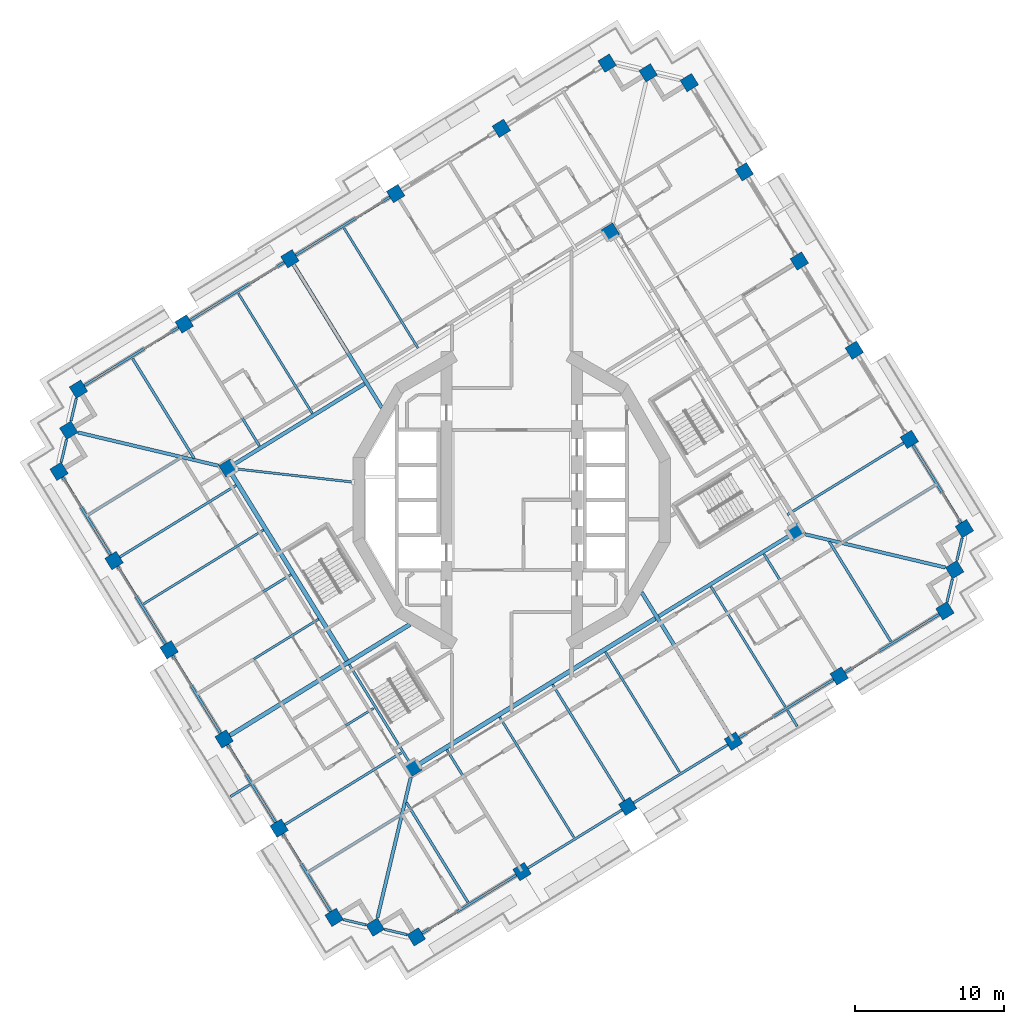
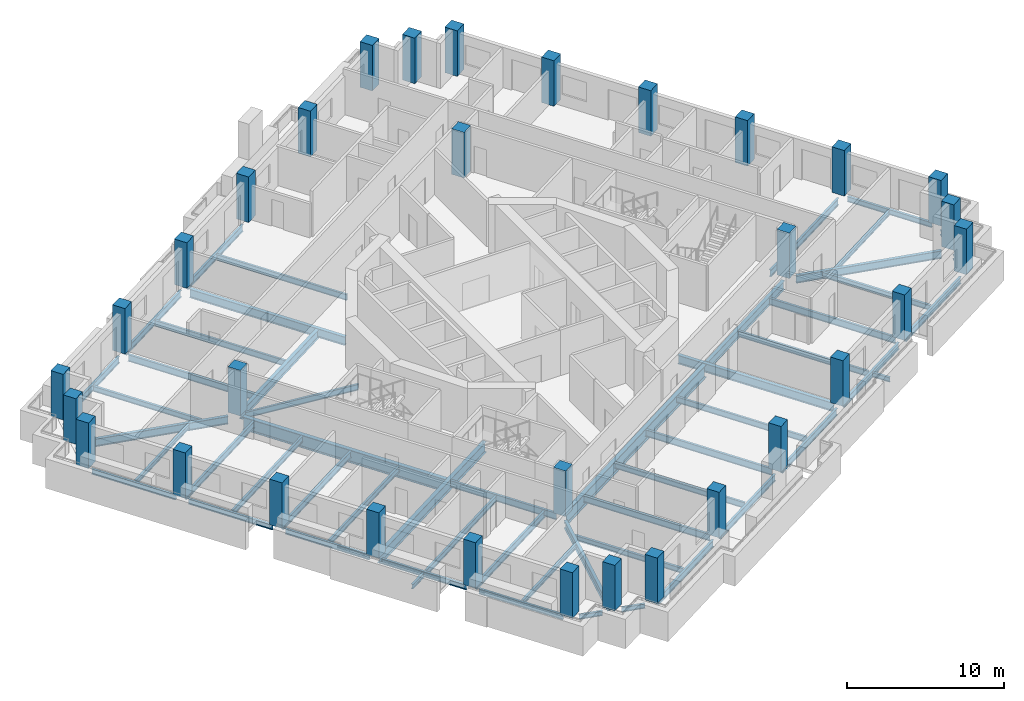
# One storey, part 1 of 21: 56 beams, 32 columns.
"""IFC4 building model written with IfcOpenShell, lengths in metres."""

from ifc_helpers import new_model, si_unit, direction, frame, origin, origin_2d, place, context, subcontext, project, spatial, rectangle, i_section, extrude, material, material_profile, profile_set, type_object, element, save


model = new_model("IFC4")

# Units and contexts
model_context = context("Model", 3, precision=1e-05, world=origin(), true_north=direction((0.0, 1.0)))
body_context = subcontext(model_context, "Body", "Model", "MODEL_VIEW")
ifc_project = project(units=[si_unit("LENGTHUNIT", "METRE"), si_unit("AREAUNIT", "SQUARE_METRE"), si_unit("VOLUMEUNIT", "CUBIC_METRE"), si_unit("PLANEANGLEUNIT", "RADIAN"), si_unit("MASSUNIT", "GRAM", prefix="KILO")], contexts=[model_context])

# Site, building, storey
site_placement = place(None, origin())
site = spatial("IfcSite", under=ifc_project, at=site_placement, CompositionType="ELEMENT")
building_placement = place(site_placement, origin())
building = spatial("IfcBuilding", under=site, at=building_placement, Name="Cantera Rosa Tower", CompositionType="ELEMENT")
storey_placement = place(building_placement, frame((0.0, 0.0, 170.39990234375)))
storey = spatial("IfcBuildingStorey", under=building, at=storey_placement, Name="L37", CompositionType="ELEMENT", Elevation=170.39990234375)

# Columns
ifc_material_1 = material(Name="Concrete C60/75", Category="concrete")
ifc_material_profile_1 = material_profile(ifc_material_1, rectangle(XDim=0.89990234375, YDim=0.89990234375, at=origin_2d()), Name="RC COLUMN RC900X900 C60/75")
ifc_profile_set_1 = profile_set([ifc_material_profile_1], Name="Concrete C60/75")
column_type_1 = type_object("IfcColumnType", Name="RC COLUMN RC900X900 C60/75", PredefinedType="COLUMN", material=ifc_profile_set_1)
for number, where, z_axis, x_axis, name in (
    (1, (30.321044921875, -1.917724609375, 0.0), (0.0, 0.0, 1.0), (0.851116672434, 0.52497658034, 0.0), "C-Z3-01 L37"),
    (2, (26.6357421875, 4.05712890625, 0.0), (0.0, 0.0, 1.0), (0.851116672434, 0.52497658034, 0.0), "C-Z3-02 L37"),
    (3, (22.950439453125, 10.031982421875, 0.0), (0.0, 0.0, 1.0), (0.851116672434, 0.52497658034, 0.0), "C-Z3-03 L37"),
    (4, (19.26513671875, 16.0068359375, 0.0), (0.0, 0.0, 1.0), (0.851116672434, 0.52497658034, 0.0), "C-Z3-04 L37"),
    (5, (15.57958984375, 21.981689453125, 0.0), (0.0, 0.0, 1.0), (0.851116672434, 0.52497658034, 0.0), "C-Z3-05 L37"),
    (6, (11.894287109375, 27.95654296875, 0.0), (0.0, 0.0, 1.0), (0.851116672434, 0.52497658034, 0.0), "C-Z3-06 L37"),
    (7, (9.14208984375, 28.60888671875, 0.0), (0.0, 0.0, 1.0), (0.851116672434, 0.52497658034, 0.0), "C-Z3-07 L37"),
    (8, (6.389892578125, 29.260986328125, 0.0), (0.0, 0.0, 1.0), (0.851116672434, 0.52497658034, 0.0), "C-Z3-08 L37"),
    (9, (-0.69140625, 24.893310546875, 0.0), (0.0, 0.0, 1.0), (0.851116672434, 0.52497658034, 0.0), "C-Z3-09 L37"),
    (10, (-7.772705078125, 20.525390625, 0.0), (0.0, 0.0, 1.0), (0.851116672434, 0.52497658034, 0.0), "C-Z3-10 L37"),
    (11, (-14.85400390625, 16.15771484375, 0.0), (0.0, 0.0, 1.0), (0.851116672434, 0.52497658034, 0.0), "C-Z3-11 L37"),
    (12, (-21.935302734375, 11.789794921875, 0.0), (0.0, 0.0, 1.0), (0.851116672434, 0.52497658034, 0.0), "C-Z3-12 L37"),
    (13, (-29.016357421875, 7.422119140625, 0.0), (0.0, 0.0, 1.0), (0.851116672434, 0.52497658034, 0.0), "C-Z3-13 L37"),
    (14, (-29.668701171875, 4.669921875, 0.0), (0.0, 0.0, 1.0), (0.851116672434, 0.52497658034, 0.0), "C-Z3-14 L37"),
    (15, (-30.321044921875, 1.917724609375, 0.0), (0.0, 0.0, 1.0), (0.851116672434, 0.52497658034, 0.0), "C-Z3-15 L37"),
    (16, (-26.6357421875, -4.05712890625, 0.0), (0.0, 0.0, 1.0), (0.851116672434, 0.52497658034, 0.0), "C-Z3-16 L37"),
    (17, (-22.950439453125, -10.031982421875, 0.0), (0.0, 0.0, 1.0), (0.851116672434, 0.52497658034, 0.0), "C-Z3-17 L37"),
    (18, (-19.26513671875, -16.0068359375, 0.0), (0.0, 0.0, 1.0), (0.851116672434, 0.52497658034, 0.0), "C-Z3-18 L37"),
    (19, (-15.57958984375, -21.981689453125, 0.0), (0.0, 0.0, 1.0), (0.851116672434, 0.52497658034, 0.0), "C-Z3-19 L37"),
    (20, (-11.894287109375, -27.95654296875, 0.0), (0.0, 0.0, 1.0), (0.851116672434, 0.52497658034, 0.0), "C-Z3-20 L37"),
    (21, (-9.14208984375, -28.60888671875, 0.0), (0.0, 0.0, 1.0), (0.851116672434, 0.52497658034, 0.0), "C-Z3-21 L37"),
    (22, (-6.389892578125, -29.260986328125, 0.0), (0.0, 0.0, 1.0), (0.851116672434, 0.52497658034, 0.0), "C-Z3-22 L37"),
    (23, (0.69140625, -24.893310546875, 0.0), (0.0, 0.0, 1.0), (0.851116672434, 0.52497658034, 0.0), "C-Z3-23 L37"),
    (24, (7.772705078125, -20.525390625, 0.0), (0.0, 0.0, 1.0), (0.851116672434, 0.52497658034, 0.0), "C-Z3-24 L37"),
    (25, (14.85400390625, -16.15771484375, 0.0), (0.0, 0.0, 1.0), (0.851116672434, 0.52497658034, 0.0), "C-Z3-25 L37"),
    (26, (21.935302734375, -11.789794921875, 0.0), (0.0, 0.0, 1.0), (0.851116672434, 0.52497658034, 0.0), "C-Z3-26 L37"),
    (27, (29.016357421875, -7.422119140625, 0.0), (0.0, 0.0, 1.0), (0.851116672434, 0.52497658034, 0.0), "C-Z3-27 L37"),
    (28, (29.668701171875, -4.669921875, 0.0), (0.0, 0.0, 1.0), (0.851116672434, 0.52497658034, 0.0), "C-Z3-28 L37"),
):
    element("IfcColumn", number, at=place(storey_placement, frame(where, z_axis=z_axis, x_axis=x_axis)), inside=storey, type_object=column_type_1, Name=name, PredefinedType="COLUMN", context=body_context, shape_type="SweptSolid", body=[
        extrude(rectangle(XDim=0.89990234375, YDim=0.89990234375, at=origin_2d()), origin(), (0.0, 0.0, 1.0), 3.550048828125),
    ])
ifc_material_2 = material(Name="Concrete C60/75", Category="concrete")
ifc_material_profile_2 = material_profile(ifc_material_2, rectangle(XDim=0.89990234375, YDim=0.89990234375, at=origin_2d()), Name="RC RING COLUMN RC900X900 C60/75")
ifc_profile_set_2 = profile_set([ifc_material_profile_2], Name="Concrete C60/75")
column_type_2 = type_object("IfcColumnType", Name="RC RING COLUMN RC900X900 C60/75", PredefinedType="COLUMN", material=ifc_profile_set_2)
for number, where, z_axis, x_axis, name in (
    (29, (6.614501953125, 17.944091796875, 0.0), (0.0, 0.0, 1.0), (0.851116672434, 0.52497658034, 0.0), "CI-Z3-1 L37"),
    (30, (-19.004150390625, 2.142333984375, 0.0), (0.0, 0.0, 1.0), (0.851116672434, 0.52497658034, 0.0), "CI-Z3-2 L37"),
    (31, (-6.614501953125, -17.944091796875, 0.0), (0.0, 0.0, 1.0), (0.851116672434, 0.52497658034, 0.0), "CI-Z3-3 L37"),
    (32, (19.004150390625, -2.142333984375, 0.0), (0.0, 0.0, 1.0), (0.851116672434, 0.52497658034, 0.0), "CI-Z3-4 L37"),
):
    element("IfcColumn", number, at=place(storey_placement, frame(where, z_axis=z_axis, x_axis=x_axis)), inside=storey, type_object=column_type_2, Name=name, PredefinedType="COLUMN", context=body_context, shape_type="SweptSolid", body=[
        extrude(rectangle(XDim=0.89990234375, YDim=0.89990234375, at=origin_2d()), origin(), (0.0, 0.0, 1.0), 3.550048828125),
    ])

# Beams
ifc_material_3 = material(Name="Steel ASTM A992 (Fy 345 MPa)", Category="steel")
ifc_material_profile_3 = material_profile(ifc_material_3, i_section(OverallWidth=0.300048828125, OverallDepth=0.990966796875, WebThickness=0.0166015625, FlangeThickness=0.030517578125, FilletRadius=0.030029296875, at=origin_2d()), Name="W1000X272")
ifc_profile_set_3 = profile_set([ifc_material_profile_3], Name="Steel ASTM A992 (Fy 345 MPa)")
beam_type_1 = type_object("IfcBeamType", Name="STEEL BEAM W1000X272", PredefinedType="BEAM", material=ifc_profile_set_3)
beam_1_placement = place(storey_placement, frame((-11.04541015625, -10.7607421875, -0.745361328125), z_axis=(-0.524974072618, 0.851118219215, 0.0), x_axis=(-0.851118219215, -0.524974072618, 0.0)))
element("IfcBeam", 33, at=beam_1_placement, inside=storey, type_object=beam_type_1, Name="RB-Z3-08 L37", PredefinedType="BEAM", context=body_context, shape_type="SweptSolid", body=[
    extrude(i_section(OverallWidth=0.300048828125, OverallDepth=0.990966796875, WebThickness=0.0166015625, FlangeThickness=0.030517578125, FilletRadius=0.030029296875, at=origin_2d()), origin(), (0.0, 0.0, 1.0), 14.7099609375),
])
ifc_material_4 = material(Name="Steel ASTM A992 (Fy 345 MPa)", Category="steel")
ifc_material_profile_4 = material_profile(ifc_material_4, i_section(OverallWidth=0.302001953125, OverallDepth=1.010009765625, WebThickness=0.02099609375, FlangeThickness=0.0400390625, FilletRadius=0.030029296875, at=origin_2d()), Name="W1000X350")
ifc_profile_set_4 = profile_set([ifc_material_profile_4], Name="Steel ASTM A992 (Fy 345 MPa)")
beam_type_2 = type_object("IfcBeamType", Name="STEEL BEAM W1000X350", PredefinedType="BEAM", material=ifc_profile_set_4)
beam_2_placement = place(storey_placement, frame((-6.231689453125, -17.707763671875, -0.7548828125), z_axis=(0.851118702028, 0.524973289852, 0.0), x_axis=(-0.524973289852, 0.851118702028, 0.0)))
element("IfcBeam", 34, at=beam_2_placement, inside=storey, type_object=beam_type_2, Name="RB-Z3-03 L37", PredefinedType="BEAM", context=body_context, shape_type="SweptSolid", body=[
    extrude(i_section(OverallWidth=0.302001953125, OverallDepth=1.010009765625, WebThickness=0.02099609375, FlangeThickness=0.0400390625, FilletRadius=0.030029296875, at=origin_2d()), origin(), (0.0, 0.0, 1.0), 18.610107421875),
])
ifc_material_5 = material(Name="Steel ASTM A992 (Fy 345 MPa)", Category="steel")
ifc_material_profile_5 = material_profile(ifc_material_5, i_section(OverallWidth=0.154052734375, OverallDepth=0.4599609375, WebThickness=0.009033203125, FlangeThickness=0.015380859375, FilletRadius=0.01025390625, at=origin_2d()), Name="W460X68")
ifc_profile_set_5 = profile_set([ifc_material_profile_5], Name="Steel ASTM A992 (Fy 345 MPa)")
beam_type_3 = type_object("IfcBeamType", Name="STEEL BEAM W460X68", PredefinedType="BEAM", material=ifc_profile_set_5)
beam_3_placement = place(storey_placement, frame((-18.435791015625, 2.078125, -0.47998046875), z_axis=(0.993707483767, -0.11200641368, 0.0), x_axis=(0.11200641368, 0.993707483767, 0.0)))
element("IfcBeam", 35, at=beam_3_placement, inside=storey, type_object=beam_type_3, Name="PG-Z3-01 L37", PredefinedType="BEAM", context=body_context, shape_type="SweptSolid", body=[
    extrude(i_section(OverallWidth=0.154052734375, OverallDepth=0.4599609375, WebThickness=0.009033203125, FlangeThickness=0.015380859375, FilletRadius=0.01025390625, at=origin_2d()), origin(), (0.0, 0.0, 1.0), 7.860107421875),
])
ifc_material_6 = material(Name="Steel ASTM A992 (Fy 345 MPa)", Category="steel")
ifc_material_profile_6 = material_profile(ifc_material_6, i_section(OverallWidth=0.166015625, OverallDepth=0.528076171875, WebThickness=0.009765625, FlangeThickness=0.013671875, FilletRadius=0.0126953125, at=origin_2d()), Name="W530X74")
ifc_profile_set_6 = profile_set([ifc_material_profile_6], Name="Steel ASTM A992 (Fy 345 MPa)")
beam_type_4 = type_object("IfcBeamType", Name="STEEL BEAM W530X74", PredefinedType="BEAM", material=ifc_profile_set_6)
for number, where, z_axis, x_axis, name in (
    (36, (26.252685546875, 3.82080078125, -0.513916015625), (-0.851116426313, -0.524976979362, 0.0), (0.524976979362, -0.851116426313, 0.0), "G-Z3-01 L37"),
    (37, (-21.698974609375, 11.40673828125, -0.513916015625), (0.524976979362, -0.851116426313, 0.0), (0.851116426313, 0.524976979362, 0.0), "G-Z3-08 L37"),
    (38, (0.455078125, -24.51025390625, -0.513916015625), (-0.524976979362, 0.851116426313, 0.0), (-0.851116426313, -0.524976979362, 0.0), "G-Z3-09 L37"),
):
    element("IfcBeam", number, at=place(storey_placement, frame(where, z_axis=z_axis, x_axis=x_axis)), inside=storey, type_object=beam_type_4, Name=name, PredefinedType="BEAM", context=body_context, shape_type="SweptSolid", body=[
        extrude(i_section(OverallWidth=0.166015625, OverallDepth=0.528076171875, WebThickness=0.009765625, FlangeThickness=0.013671875, FilletRadius=0.0126953125, at=origin_2d()), origin(), (0.0, 0.0, 1.0), 9.14990234375),
    ])
beam_4_placement = place(storey_placement, frame((7.536376953125, -20.142578125, -0.513916015625), z_axis=(-0.524965057427, 0.851123779764, 0.0), x_axis=(-0.851123779764, -0.524965057427, 0.0)))
element("IfcBeam", 39, at=beam_4_placement, inside=storey, type_object=beam_type_4, Name="G-Z3-10 L37", PredefinedType="BEAM", context=body_context, shape_type="SweptSolid", body=[
    extrude(i_section(OverallWidth=0.166015625, OverallDepth=0.528076171875, WebThickness=0.009765625, FlangeThickness=0.013671875, FilletRadius=0.0126953125, at=origin_2d()), origin(), (0.0, 0.0, 1.0), 9.150146484375),
])
for number, where, z_axis, x_axis, name in (
    (40, (21.698974609375, -11.40673828125, -0.513916015625), (-0.524976979362, 0.851116426313, 0.0), (-0.851116426313, -0.524976979362, 0.0), "G-Z3-12 L37"),
    (41, (-26.252685546875, -3.82080078125, -0.513916015625), (0.851116426313, 0.524976979362, 0.0), (-0.524976979362, 0.851116426313, 0.0), "G-Z3-13 L37"),
):
    element("IfcBeam", number, at=place(storey_placement, frame(where, z_axis=z_axis, x_axis=x_axis)), inside=storey, type_object=beam_type_4, Name=name, PredefinedType="BEAM", context=body_context, shape_type="SweptSolid", body=[
        extrude(i_section(OverallWidth=0.166015625, OverallDepth=0.528076171875, WebThickness=0.009765625, FlangeThickness=0.013671875, FilletRadius=0.0126953125, at=origin_2d()), origin(), (0.0, 0.0, 1.0), 9.14990234375),
    ])
for number, where, z_axis, x_axis, name in (
    (42, (-22.5673828125, -9.795654296875, -0.513916015625), (0.851123779764, 0.524965057427, 0.0), (-0.524965057427, 0.851123779764, 0.0), "G-Z3-14 L37"),
    (43, (-15.19677734375, -21.745361328125, -0.513916015625), (0.851123779764, 0.524965057427, 0.0), (-0.524965057427, 0.851123779764, 0.0), "G-Z3-16 L37"),
):
    element("IfcBeam", number, at=place(storey_placement, frame(where, z_axis=z_axis, x_axis=x_axis)), inside=storey, type_object=beam_type_4, Name=name, PredefinedType="BEAM", context=body_context, shape_type="SweptSolid", body=[
        extrude(i_section(OverallWidth=0.166015625, OverallDepth=0.528076171875, WebThickness=0.009765625, FlangeThickness=0.013671875, FilletRadius=0.0126953125, at=origin_2d()), origin(), (0.0, 0.0, 1.0), 9.150146484375),
    ])
beam_5_placement = place(storey_placement, frame((-6.850830078125, -17.56103515625, -0.513916015625), z_axis=(-0.52497571981, 0.851117203216, 0.0), x_axis=(-0.851117203216, -0.52497571981, 0.0)))
element("IfcBeam", 44, at=beam_5_placement, inside=storey, type_object=beam_type_4, Name="RB-Z3-07 L37", PredefinedType="BEAM", context=body_context, shape_type="SweptSolid", body=[
    extrude(i_section(OverallWidth=0.166015625, OverallDepth=0.528076171875, WebThickness=0.009765625, FlangeThickness=0.013671875, FilletRadius=0.0126953125, at=origin_2d()), origin(), (0.0, 0.0, 1.0), 7.690185546875),
])
ifc_material_7 = material(Name="Steel ASTM A992 (Fy 345 MPa)", Category="steel")
ifc_material_profile_7 = material_profile(ifc_material_7, i_section(OverallWidth=0.22802734375, OverallDepth=0.60205078125, WebThickness=0.010498046875, FlangeThickness=0.014892578125, FilletRadius=0.0126953125, at=origin_2d()), Name="W610X101")
ifc_profile_set_7 = profile_set([ifc_material_profile_7], Name="Steel ASTM A992 (Fy 345 MPa)")
beam_type_5 = type_object("IfcBeamType", Name="STEEL BEAM W610X101", PredefinedType="BEAM", material=ifc_profile_set_7)
for number, where, z_axis, x_axis, name in (
    (45, (-29.049560546875, 4.523193359375, -0.55078125), (0.973043389436, -0.230622120091, 0.0), (0.230622120091, 0.973043389436, 0.0), "CB-Z3-02 L37"),
    (46, (-8.995361328125, -27.989501953125, -0.55078125), (0.230622120091, 0.973043389436, 0.0), (-0.973043389436, 0.230622120091, 0.0), "CB-Z3-03 L37"),
    (47, (29.049560546875, -4.523193359375, -0.55078125), (-0.973043389436, 0.230622120091, 0.0), (-0.230622120091, -0.973043389436, 0.0), "CB-Z3-04 L37"),
):
    element("IfcBeam", number, at=place(storey_placement, frame(where, z_axis=z_axis, x_axis=x_axis)), inside=storey, type_object=beam_type_5, Name=name, PredefinedType="BEAM", context=body_context, shape_type="SweptSolid", body=[
        extrude(i_section(OverallWidth=0.22802734375, OverallDepth=0.60205078125, WebThickness=0.010498046875, FlangeThickness=0.014892578125, FilletRadius=0.0126953125, at=origin_2d()), origin(), (0.0, 0.0, 1.0), 9.6875),
    ])
ifc_material_8 = material(Name="Steel ASTM A992 (Fy 345 MPa)", Category="steel")
ifc_material_profile_8 = material_profile(ifc_material_8, i_section(OverallWidth=0.25390625, OverallDepth=0.677978515625, WebThickness=0.01171875, FlangeThickness=0.016357421875, FilletRadius=0.01513671875, at=origin_2d()), Name="W690X125")
ifc_profile_set_8 = profile_set([ifc_material_profile_8], Name="Steel ASTM A992 (Fy 345 MPa)")
beam_type_6 = type_object("IfcBeamType", Name="STEEL BEAM W690X125", PredefinedType="BEAM", material=ifc_profile_set_8)
for number, where, z_axis, x_axis, name in (
    (48, (-14.61767578125, 15.774658203125, -0.5888671875), (0.524984160378, -0.85111199695, 0.0), (0.85111199695, 0.524984160378, 0.0), "G-Z3-07 L37"),
    (49, (14.61767578125, -15.774658203125, -0.5888671875), (-0.524984160378, 0.85111199695, 0.0), (-0.85111199695, -0.524984160378, 0.0), "G-Z3-11 L37"),
):
    element("IfcBeam", number, at=place(storey_placement, frame(where, z_axis=z_axis, x_axis=x_axis)), inside=storey, type_object=beam_type_6, Name=name, PredefinedType="BEAM", context=body_context, shape_type="SweptSolid", body=[
        extrude(i_section(OverallWidth=0.25390625, OverallDepth=0.677978515625, WebThickness=0.01171875, FlangeThickness=0.016357421875, FilletRadius=0.01513671875, at=origin_2d()), origin(), (0.0, 0.0, 1.0), 11.271728515625),
    ])
for number, where, z_axis, x_axis, name in (
    (50, (-18.62109375, 2.37841796875, -0.5888671875), (0.851114508358, 0.524980088825, 0.0), (-0.524980088825, 0.851114508358, 0.0), "RB-Z3-01 L37"),
    (51, (9.863037109375, -7.780517578125, -0.5888671875), (0.851114508358, 0.524980088825, 0.0), (-0.524980088825, 0.851114508358, 0.0), "RB-Z3-04 L37"),
):
    element("IfcBeam", number, at=place(storey_placement, frame(where, z_axis=z_axis, x_axis=x_axis)), inside=storey, type_object=beam_type_6, Name=name, PredefinedType="BEAM", context=body_context, shape_type="SweptSolid", body=[
        extrude(i_section(OverallWidth=0.25390625, OverallDepth=0.677978515625, WebThickness=0.01171875, FlangeThickness=0.016357421875, FilletRadius=0.01513671875, at=origin_2d()), origin(), (0.0, 0.0, 1.0), 10.2900390625),
    ])
ifc_material_9 = material(Name="Steel ASTM A992 (Fy 345 MPa)", Category="steel")
ifc_material_profile_9 = material_profile(ifc_material_9, i_section(OverallWidth=0.2919921875, OverallDepth=0.8359375, WebThickness=0.013916015625, FlangeThickness=0.018798828125, FilletRadius=0.017822265625, at=origin_2d()), Name="W840X176")
ifc_profile_set_9 = profile_set([ifc_material_profile_9], Name="Steel ASTM A992 (Fy 345 MPa)")
beam_type_7 = type_object("IfcBeamType", Name="STEEL BEAM W840X176", PredefinedType="BEAM", material=ifc_profile_set_9)
beam_6_placement = place(storey_placement, frame((-18.882080078125, -15.7705078125, -0.66796875), z_axis=(0.8511231456, 0.524966085595, 0.0), x_axis=(-0.524966085595, 0.8511231456, 0.0)))
element("IfcBeam", 52, at=beam_6_placement, inside=storey, type_object=beam_type_7, Name="G-Z3-15 L37", PredefinedType="BEAM", context=body_context, shape_type="SweptSolid", body=[
    extrude(i_section(OverallWidth=0.2919921875, OverallDepth=0.8359375, WebThickness=0.013916015625, FlangeThickness=0.018798828125, FilletRadius=0.017822265625, at=origin_2d()), origin(), (0.0, 0.0, 1.0), 14.17138671875),
])
ifc_material_10 = material(Name="Steel ASTM A992 (Fy 345 MPa)", Category="steel")
ifc_material_profile_10 = material_profile(ifc_material_10, i_section(OverallWidth=0.1708984375, OverallDepth=0.35595703125, WebThickness=0.00732421875, FlangeThickness=0.01171875, FilletRadius=0.010009765625, at=origin_2d()), Name="W360X51")
ifc_profile_set_10 = profile_set([ifc_material_profile_10], Name="Steel ASTM A992 (Fy 345 MPa)")
beam_type_8 = type_object("IfcBeamType", Name="STEEL JOIST W360X51", PredefinedType="JOIST", material=ifc_profile_set_10)
for number, where, z_axis, x_axis, name in (
    (53, (28.3505859375, 0.990966796875, -0.427978515625), (-0.851109089911, -0.524988873283, 0.0), (0.524988873283, -0.851109089911, 0.0), "B-Z3-01 L37"),
    (54, (-28.3505859375, -0.990966796875, -0.427978515625), (0.851109089911, 0.524988873283, 0.0), (-0.524988873283, 0.851109089911, 0.0), "B-Z3-16 L37"),
    (55, (-13.609375, -24.890380859375, -0.427978515625), (0.851109089911, 0.524988873283, 0.0), (-0.524988873283, 0.851109089911, 0.0), "B-Z3-20 L37"),
):
    element("IfcBeam", number, at=place(storey_placement, frame(where, z_axis=z_axis, x_axis=x_axis)), inside=storey, type_object=beam_type_8, Name=name, PredefinedType="JOIST", context=body_context, shape_type="SweptSolid", body=[
        extrude(i_section(OverallWidth=0.1708984375, OverallDepth=0.35595703125, WebThickness=0.00732421875, FlangeThickness=0.01171875, FilletRadius=0.010009765625, at=origin_2d()), origin(), (0.0, 0.0, 1.0), 7.2099609375),
    ])
beam_7_placement = place(storey_placement, frame((-17.532958984375, -19.0625, -0.427978515625), z_axis=(-0.851148289142, -0.524925318393, 0.0), x_axis=(0.524925318393, -0.851148289142, 0.0)))
element("IfcBeam", 56, at=beam_7_placement, inside=storey, type_object=beam_type_8, Name="BS-Z3-16 L37", PredefinedType="JOIST", context=body_context, shape_type="SweptSolid", body=[
    extrude(i_section(OverallWidth=0.1708984375, OverallDepth=0.35595703125, WebThickness=0.00732421875, FlangeThickness=0.01171875, FilletRadius=0.010009765625, at=origin_2d()), origin(), (0.0, 0.0, 1.0), 1.52978515625),
])
beam_8_placement = place(storey_placement, frame((18.462890625, -14.08447265625, -0.427978515625), z_axis=(0.524968880559, -0.851121421681, 0.0), x_axis=(0.851121421681, 0.524968880559, 0.0)))
element("IfcBeam", 57, at=beam_8_placement, inside=storey, type_object=beam_type_8, Name="BS-Z3-17 L37", PredefinedType="JOIST", context=body_context, shape_type="SweptSolid", body=[
    extrude(i_section(OverallWidth=0.1708984375, OverallDepth=0.35595703125, WebThickness=0.00732421875, FlangeThickness=0.01171875, FilletRadius=0.010009765625, at=origin_2d()), origin(), (0.0, 0.0, 1.0), 1.25),
])
ifc_material_11 = material(Name="Steel ASTM A992 (Fy 345 MPa)", Category="steel")
ifc_material_profile_11 = material_profile(ifc_material_11, i_section(OverallWidth=0.177978515625, OverallDepth=0.406005859375, WebThickness=0.0078125, FlangeThickness=0.0126953125, FilletRadius=0.01025390625, at=origin_2d()), Name="W410X60")
ifc_profile_set_11 = profile_set([ifc_material_profile_11], Name="Steel ASTM A992 (Fy 345 MPa)")
beam_type_9 = type_object("IfcBeamType", Name="STEEL JOIST W410X60", PredefinedType="JOIST", material=ifc_profile_set_11)
beam_9_placement = place(storey_placement, frame((-25.39697265625, 9.478271484375, -0.452880859375), z_axis=(0.524972339906, -0.851119287958, 0.0), x_axis=(0.851119287958, 0.524972339906, 0.0)))
element("IfcBeam", 58, at=beam_9_placement, inside=storey, type_object=beam_type_9, Name="B-Z3-10 L37", PredefinedType="JOIST", context=body_context, shape_type="SweptSolid", body=[
    extrude(i_section(OverallWidth=0.177978515625, OverallDepth=0.406005859375, WebThickness=0.0078125, FlangeThickness=0.0126953125, FilletRadius=0.01025390625, at=origin_2d()), origin(), (0.0, 0.0, 1.0), 7.85986328125),
])
beam_10_placement = place(storey_placement, frame((-2.927978515625, -26.949462890625, -0.452880859375), z_axis=(-0.524994840515, 0.85110540912, 0.0), x_axis=(-0.85110540912, -0.524994840515, 0.0)))
element("IfcBeam", 59, at=beam_10_placement, inside=storey, type_object=beam_type_9, Name="B-Z3-11 L37", PredefinedType="JOIST", context=body_context, shape_type="SweptSolid", body=[
    extrude(i_section(OverallWidth=0.177978515625, OverallDepth=0.406005859375, WebThickness=0.0078125, FlangeThickness=0.0126953125, FilletRadius=0.01025390625, at=origin_2d()), origin(), (0.0, 0.0, 1.0), 7.860107421875),
])
beam_11_placement = place(storey_placement, frame((25.39697265625, -9.478271484375, -0.452880859375), z_axis=(-0.524972339906, 0.851119287958, 0.0), x_axis=(-0.851119287958, -0.524972339906, 0.0)))
element("IfcBeam", 60, at=beam_11_placement, inside=storey, type_object=beam_type_9, Name="B-Z3-15 L37", PredefinedType="JOIST", context=body_context, shape_type="SweptSolid", body=[
    extrude(i_section(OverallWidth=0.177978515625, OverallDepth=0.406005859375, WebThickness=0.0078125, FlangeThickness=0.0126953125, FilletRadius=0.01025390625, at=origin_2d()), origin(), (0.0, 0.0, 1.0), 7.85986328125),
])
ifc_material_12 = material(Name="Steel ASTM A992 (Fy 345 MPa)", Category="steel")
ifc_material_profile_12 = material_profile(ifc_material_12, i_section(OverallWidth=0.154052734375, OverallDepth=0.4599609375, WebThickness=0.009033203125, FlangeThickness=0.015380859375, FilletRadius=0.01025390625, at=origin_2d()), Name="W460X68")
ifc_profile_set_12 = profile_set([ifc_material_profile_12], Name="Steel ASTM A992 (Fy 345 MPa)")
beam_type_10 = type_object("IfcBeamType", Name="STEEL JOIST W460X68", PredefinedType="JOIST", material=ifc_profile_set_12)
beam_12_placement = place(storey_placement, frame((-11.234619140625, 18.2138671875, -0.47998046875), z_axis=(0.524992267726, -0.85110699611, 0.0), x_axis=(0.85110699611, 0.524992267726, 0.0)))
element("IfcBeam", 61, at=beam_12_placement, inside=storey, type_object=beam_type_10, Name="B-Z3-08 L37", PredefinedType="JOIST", context=body_context, shape_type="SweptSolid", body=[
    extrude(i_section(OverallWidth=0.154052734375, OverallDepth=0.4599609375, WebThickness=0.009033203125, FlangeThickness=0.015380859375, FilletRadius=0.01025390625, at=origin_2d()), origin(), (0.0, 0.0, 1.0), 9.449951171875),
])
for number, where, z_axis, x_axis, name in (
    (62, (-18.315673828125, 13.84619140625, -0.47998046875), (0.524962009542, -0.851125659663, 0.0), (0.851125659663, 0.524962009542, 0.0), "B-Z3-09 L37"),
    (63, (4.1533203125, -22.581787109375, -0.47998046875), (-0.524980724235, 0.851114116427, 0.0), (-0.851114116427, -0.524980724235, 0.0), "B-Z3-12 L37"),
):
    element("IfcBeam", number, at=place(storey_placement, frame(where, z_axis=z_axis, x_axis=x_axis)), inside=storey, type_object=beam_type_10, Name=name, PredefinedType="JOIST", context=body_context, shape_type="SweptSolid", body=[
        extrude(i_section(OverallWidth=0.154052734375, OverallDepth=0.4599609375, WebThickness=0.009033203125, FlangeThickness=0.015380859375, FilletRadius=0.01025390625, at=origin_2d()), origin(), (0.0, 0.0, 1.0), 9.4501953125),
    ])
beam_13_placement = place(storey_placement, frame((11.234619140625, -18.2138671875, -0.47998046875), z_axis=(-0.524992267726, 0.85110699611, 0.0), x_axis=(-0.85110699611, -0.524992267726, 0.0)))
element("IfcBeam", 64, at=beam_13_placement, inside=storey, type_object=beam_type_10, Name="B-Z3-13 L37", PredefinedType="JOIST", context=body_context, shape_type="SweptSolid", body=[
    extrude(i_section(OverallWidth=0.154052734375, OverallDepth=0.4599609375, WebThickness=0.009033203125, FlangeThickness=0.015380859375, FilletRadius=0.01025390625, at=origin_2d()), origin(), (0.0, 0.0, 1.0), 9.449951171875),
])
beam_14_placement = place(storey_placement, frame((18.315673828125, -13.84619140625, -0.47998046875), z_axis=(-0.524962009542, 0.851125659663, 0.0), x_axis=(-0.851125659663, -0.524962009542, 0.0)))
element("IfcBeam", 65, at=beam_14_placement, inside=storey, type_object=beam_type_10, Name="B-Z3-14 L37", PredefinedType="JOIST", context=body_context, shape_type="SweptSolid", body=[
    extrude(i_section(OverallWidth=0.154052734375, OverallDepth=0.4599609375, WebThickness=0.009033203125, FlangeThickness=0.015380859375, FilletRadius=0.01025390625, at=origin_2d()), origin(), (0.0, 0.0, 1.0), 9.4501953125),
])
for number, where, z_axis, x_axis, name in (
    (66, (-24.665283203125, -6.9658203125, -0.47998046875), (0.851118539758, 0.524973552935, 0.0), (-0.524973552935, 0.851118539758, 0.0), "B-Z3-17 L37"),
    (67, (-20.97998046875, -12.940673828125, -0.47998046875), (0.851118539758, 0.524973552935, 0.0), (-0.524973552935, 0.851118539758, 0.0), "B-Z3-18 L37"),
    (68, (-17.294677734375, -18.91552734375, -0.47998046875), (0.851118539758, 0.524973552935, 0.0), (-0.524973552935, 0.851118539758, 0.0), "B-Z3-19 L37"),
):
    element("IfcBeam", number, at=place(storey_placement, frame(where, z_axis=z_axis, x_axis=x_axis)), inside=storey, type_object=beam_type_10, Name=name, PredefinedType="JOIST", context=body_context, shape_type="SweptSolid", body=[
        extrude(i_section(OverallWidth=0.154052734375, OverallDepth=0.4599609375, WebThickness=0.009033203125, FlangeThickness=0.015380859375, FilletRadius=0.01025390625, at=origin_2d()), origin(), (0.0, 0.0, 1.0), 9.449951171875),
    ])
ifc_material_13 = material(Name="Steel ASTM A992 (Fy 345 MPa)", Category="steel")
ifc_material_profile_13 = material_profile(ifc_material_13, i_section(OverallWidth=0.1708984375, OverallDepth=0.35595703125, WebThickness=0.00732421875, FlangeThickness=0.01171875, FilletRadius=0.010009765625, at=origin_2d()), Name="W360X51")
ifc_profile_set_13 = profile_set([ifc_material_profile_13], Name="Steel ASTM A992 (Fy 345 MPa)")
beam_type_11 = type_object("IfcBeamType", Name="STEEL SPANDREL BEAM W360X51", PredefinedType="SPANDREL", material=ifc_profile_set_13)
for number, where, z_axis, x_axis, name in (
    (69, (-29.163330078125, 6.802734375, -0.427978515625), (-0.230552419793, -0.973059906546, 0.0), (0.973059906546, -0.230552419793, 0.0), "EB-Z3-13 L37"),
    (70, (-29.8154296875, 4.050537109375, -0.427978515625), (-0.230701014544, -0.973024687194, 0.0), (0.973024687194, -0.230701014544, 0.0), "EB-Z3-14 L37"),
    (71, (-11.275146484375, -28.103271484375, -0.427978515625), (0.973059906546, -0.230552419793, 0.0), (0.230552419793, 0.973059906546, 0.0), "EB-Z3-20 L37"),
    (72, (-8.52294921875, -28.755615234375, -0.427978515625), (0.973059906546, -0.230552419793, 0.0), (0.230552419793, 0.973059906546, 0.0), "EB-Z3-21 L37"),
    (73, (29.163330078125, -6.802734375, -0.427978515625), (0.230552419793, 0.973059906546, 0.0), (-0.973059906546, 0.230552419793, 0.0), "EB-Z3-27 L37"),
    (74, (29.8154296875, -4.050537109375, -0.427978515625), (0.230701014544, 0.973024687194, 0.0), (-0.973024687194, 0.230701014544, 0.0), "EB-Z3-28 L37"),
):
    element("IfcBeam", number, at=place(storey_placement, frame(where, z_axis=z_axis, x_axis=x_axis)), inside=storey, type_object=beam_type_11, Name=name, PredefinedType="SPANDREL", context=body_context, shape_type="SweptSolid", body=[
        extrude(i_section(OverallWidth=0.1708984375, OverallDepth=0.35595703125, WebThickness=0.00732421875, FlangeThickness=0.01171875, FilletRadius=0.010009765625, at=origin_2d()), origin(), (0.0, 0.0, 1.0), 1.5556640625),
    ])
ifc_material_14 = material(Name="Steel ASTM A992 (Fy 345 MPa)", Category="steel")
ifc_material_profile_14 = material_profile(ifc_material_14, i_section(OverallWidth=0.177978515625, OverallDepth=0.406005859375, WebThickness=0.0078125, FlangeThickness=0.0126953125, FilletRadius=0.01025390625, at=origin_2d()), Name="W410X60")
ifc_profile_set_14 = profile_set([ifc_material_profile_14], Name="Steel ASTM A992 (Fy 345 MPa)")
beam_type_12 = type_object("IfcBeamType", Name="STEEL SPANDREL BEAM W410X60", PredefinedType="SPANDREL", material=ifc_profile_set_14)
for number, where, z_axis, x_axis, name in (
    (75, (30.084716796875, -1.53466796875, -0.452880859375), (-0.524987447654, 0.851109969279, 0.0), (-0.851109969279, -0.524987447654, 0.0), "EB-Z3-01 L37"),
    (76, (-30.084716796875, 1.53466796875, -0.452880859375), (0.524987447654, -0.851109969279, 0.0), (0.851109969279, 0.524987447654, 0.0), "EB-Z3-15 L37"),
    (77, (-26.3994140625, -4.440185546875, -0.452880859375), (0.524987447654, -0.851109969279, 0.0), (0.851109969279, 0.524987447654, 0.0), "EB-Z3-16 L37"),
    (78, (-22.714111328125, -10.4150390625, -0.452880859375), (0.524987447654, -0.851109969279, 0.0), (0.851109969279, 0.524987447654, 0.0), "EB-Z3-17 L37"),
    (79, (-19.02880859375, -16.389892578125, -0.452880859375), (0.524987447654, -0.851109969279, 0.0), (0.851109969279, 0.524987447654, 0.0), "EB-Z3-18 L37"),
    (80, (-15.343505859375, -22.36474609375, -0.452880859375), (0.524987447654, -0.851109969279, 0.0), (0.851109969279, 0.524987447654, 0.0), "EB-Z3-19 L37"),
):
    element("IfcBeam", number, at=place(storey_placement, frame(where, z_axis=z_axis, x_axis=x_axis)), inside=storey, type_object=beam_type_12, Name=name, PredefinedType="SPANDREL", context=body_context, shape_type="SweptSolid", body=[
        extrude(i_section(OverallWidth=0.177978515625, OverallDepth=0.406005859375, WebThickness=0.0078125, FlangeThickness=0.0126953125, FilletRadius=0.01025390625, at=origin_2d()), origin(), (0.0, 0.0, 1.0), 6.119873046875),
    ])
ifc_material_15 = material(Name="Steel ASTM A992 (Fy 345 MPa)", Category="steel")
ifc_material_profile_15 = material_profile(ifc_material_15, i_section(OverallWidth=0.166015625, OverallDepth=0.528076171875, WebThickness=0.009765625, FlangeThickness=0.013671875, FilletRadius=0.0126953125, at=origin_2d()), Name="W530X74")
ifc_profile_set_15 = profile_set([ifc_material_profile_15], Name="Steel ASTM A992 (Fy 345 MPa)")
beam_type_13 = type_object("IfcBeamType", Name="STEEL SPANDREL BEAM W530X74", PredefinedType="SPANDREL", material=ifc_profile_set_15)
for number, where, z_axis, x_axis, name in (
    (81, (-8.155517578125, 20.289306640625, -0.513916015625), (-0.851111085575, -0.524985637909, 0.0), (0.524985637909, -0.851111085575, 0.0), "EB-Z3-10 L37"),
    (82, (-15.23681640625, 15.92138671875, -0.513916015625), (-0.85112578684, -0.524961803349, 0.0), (0.524961803349, -0.85112578684, 0.0), "EB-Z3-11 L37"),
    (83, (-22.318115234375, 11.5537109375, -0.513916015625), (-0.851111085575, -0.524985637909, 0.0), (0.524985637909, -0.851111085575, 0.0), "EB-Z3-12 L37"),
    (84, (-6.007080078125, -29.02490234375, -0.513916015625), (0.851111085575, 0.524985637909, 0.0), (-0.524985637909, 0.851111085575, 0.0), "EB-Z3-22 L37"),
    (85, (1.07421875, -24.656982421875, -0.513916015625), (0.85112578684, 0.524961803349, 0.0), (-0.524961803349, 0.85112578684, 0.0), "EB-Z3-23 L37"),
    (86, (8.155517578125, -20.289306640625, -0.513916015625), (0.851111085575, 0.524985637909, 0.0), (-0.524985637909, 0.851111085575, 0.0), "EB-Z3-24 L37"),
    (87, (15.23681640625, -15.92138671875, -0.513916015625), (0.85112578684, 0.524961803349, 0.0), (-0.524961803349, 0.85112578684, 0.0), "EB-Z3-25 L37"),
    (88, (22.318115234375, -11.5537109375, -0.513916015625), (0.851111085575, 0.524985637909, 0.0), (-0.524985637909, 0.851111085575, 0.0), "EB-Z3-26 L37"),
):
    element("IfcBeam", number, at=place(storey_placement, frame(where, z_axis=z_axis, x_axis=x_axis)), inside=storey, type_object=beam_type_13, Name=name, PredefinedType="SPANDREL", context=body_context, shape_type="SweptSolid", body=[
        extrude(i_section(OverallWidth=0.166015625, OverallDepth=0.528076171875, WebThickness=0.009765625, FlangeThickness=0.013671875, FilletRadius=0.0126953125, at=origin_2d()), origin(), (0.0, 0.0, 1.0), 7.420166015625),
    ])

save(model, "model.ifc")
